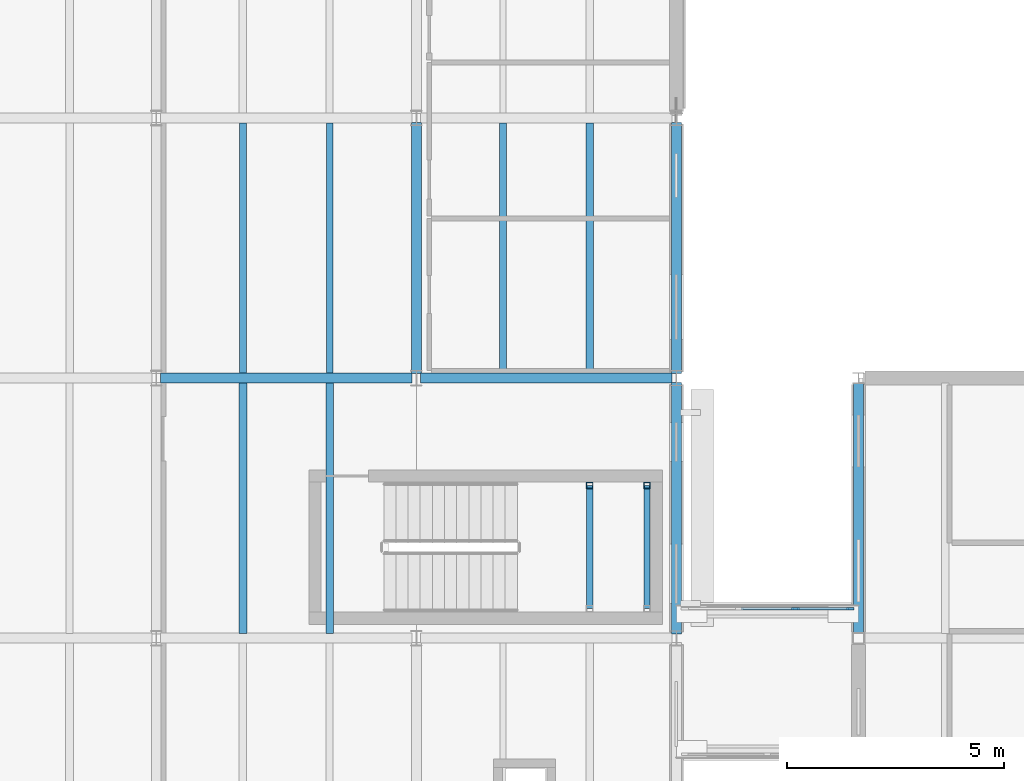
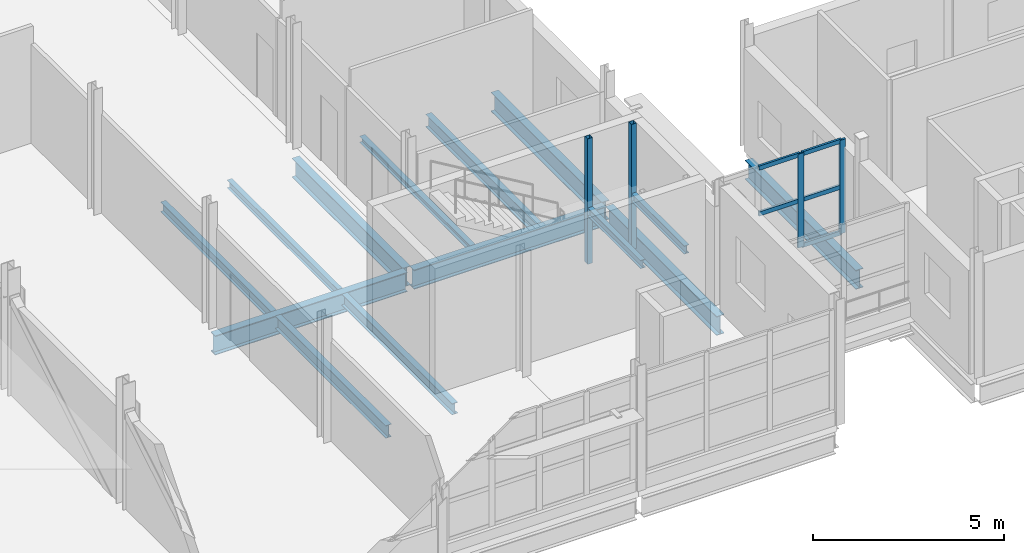
# One storey, part 24 of 92: 14 beams, 9 members, 1 element without a shape of its own.
"""IFC4 building model written with IfcOpenShell, lengths in metres."""

import ifcopenshell
import ifcopenshell.guid

model = None  # the IFC model being written
_history = None  # IfcOwnerHistory: only IFC2X3 demands one
_inside = {}  # id of a spatial element -> (the spatial element, [elements in it])
_under = {}  # id of a project, library or spatial element -> (it, [spatial elements below it])
_declared = {}  # id of a project -> (the project, [libraries it declares])
_typed = {}  # id of a type object -> (the type object, [elements of that type])
_made_of = {}  # id of a material, layer set ... -> (it, [elements and type objects made of it])


def new_model(schema):
    """Start an empty IFC model of exactly this schema.

    Asked for "IFC4X3", IfcOpenShell would pick the latest addendum, in which some entities
    have other attributes; the version numbers below select the first issue.
    IFC2X3 requires an IfcOwnerHistory on every rooted entity: one is made here for all.
    """
    global model, _history
    if schema == "IFC4X3":
        model = ifcopenshell.file(schema_version=(4, 3, 0, 0))
    else:
        model = ifcopenshell.file(schema=schema)
    _inside.clear()
    _under.clear()
    _declared.clear()
    _typed.clear()
    _made_of.clear()
    _history = None
    if model.schema == "IFC2X3":
        org = make("IfcOrganization", Name="unknown")
        user = make(
            "IfcPersonAndOrganization",
            ThePerson=make("IfcPerson", FamilyName="unknown"),
            TheOrganization=org,
        )
        app = make(
            "IfcApplication",
            ApplicationDeveloper=org,
            Version="unknown",
            ApplicationFullName="unknown",
            ApplicationIdentifier="unknown",
        )
        _history = make(
            "IfcOwnerHistory",
            OwningUser=user,
            OwningApplication=app,
            ChangeAction="ADDED",
            CreationDate=0,
        )
    return model


def make(cls, **values):
    """One entity of the class cls with the attributes given. An attribute that is None is left unset."""
    return model.create_entity(
        cls, **{name: value for name, value in values.items() if value is not None}
    )


def rooted(cls, **values):
    """An entity with a GlobalId (a new one), such as an element, a storey or a relation."""
    return make(cls, GlobalId=ifcopenshell.guid.new(), OwnerHistory=_history, **values)


def si_unit(unit_type, name, prefix=None):
    """IfcSIUnit, for example si_unit("LENGTHUNIT", "METRE", prefix="MILLI")."""
    return make("IfcSIUnit", UnitType=unit_type, Prefix=prefix, Name=name)


def assignment(units):
    """IfcUnitAssignment: the units of a project."""
    return None if units is None else make("IfcUnitAssignment", Units=units)


def point(xyz):
    """IfcCartesianPoint."""
    return None if xyz is None else make("IfcCartesianPoint", Coordinates=xyz)


def direction(xyz):
    """IfcDirection."""
    return None if xyz is None else make("IfcDirection", DirectionRatios=xyz)


def frame(location, z_axis=None, x_axis=None):
    """IfcAxis2Placement3D, a coordinate frame: its origin and axes. An axis left out is left unset."""
    return make(
        "IfcAxis2Placement3D",
        Location=point(location),
        Axis=direction(z_axis),
        RefDirection=direction(x_axis),
    )


def frame_2d(location, x_axis=None):
    """IfcAxis2Placement2D, a coordinate frame in the plane: its origin and x axis."""
    return make(
        "IfcAxis2Placement2D", Location=point(location), RefDirection=direction(x_axis)
    )


def origin():
    """The frame at (0, 0, 0) with its axes left unset."""
    return frame((0.0, 0.0, 0.0))


def origin_2d():
    """The frame at (0, 0) in the plane with its x axis left unset."""
    return frame_2d((0.0, 0.0))


def place(relative_to, where):
    """IfcLocalPlacement: puts the frame where relative to a parent placement (None: the world)."""
    return make(
        "IfcLocalPlacement", PlacementRelTo=relative_to, RelativePlacement=where
    )


def context(
    kind, dimensions, precision=None, world=None, true_north=None, identifier=None
):
    """IfcGeometricRepresentationContext, for example the 3D "Model" context."""
    return make(
        "IfcGeometricRepresentationContext",
        ContextIdentifier=identifier,
        ContextType=kind,
        CoordinateSpaceDimension=dimensions,
        Precision=precision,
        WorldCoordinateSystem=world,
        TrueNorth=true_north,
    )


def subcontext(parent, identifier, kind, view, scale=None):
    """IfcGeometricRepresentationSubContext, for example "Body" below "Model"."""
    return make(
        "IfcGeometricRepresentationSubContext",
        ContextIdentifier=identifier,
        ContextType=kind,
        ParentContext=parent,
        TargetScale=scale,
        TargetView=view,
    )


def project(units=None, contexts=None):
    """IfcProject with its units and contexts."""
    return rooted(
        "IfcProject",
        Name="project",
        RepresentationContexts=contexts,
        UnitsInContext=assignment(units),
    )


def spatial(cls, under=None, at=None, **own):
    """A site, building, storey or space (cls), placed at a placement, below another one or the project."""
    s = rooted(cls, ObjectPlacement=at, **own)
    if under is not None:
        _under.setdefault(under.id(), (under, []))[1].append(s)
    return s


def profile(cls, at=None, kind="AREA", **sizes):
    """A parametric profile (cls). Its sizes go by their IFC names, for example OverallWidth=200.0."""
    return make(cls, ProfileType=kind, Position=at, **sizes)


def rectangle(**sizes):
    """IfcRectangleProfileDef."""
    return profile("IfcRectangleProfileDef", **sizes)


def hollow_rectangle(**sizes):
    """IfcRectangleHollowProfileDef."""
    return profile("IfcRectangleHollowProfileDef", **sizes)


def i_section(**sizes):
    """IfcIShapeProfileDef."""
    return profile("IfcIShapeProfileDef", **sizes)


def extrude(swept, where, along, depth):
    """IfcExtrudedAreaSolid: the profile swept, set in the frame where, extruded along a direction by depth."""
    return make(
        "IfcExtrudedAreaSolid",
        SweptArea=swept,
        Position=where,
        ExtrudedDirection=direction(along),
        Depth=depth,
    )


def shape(context_of_items, identifier, shape_type, items):
    """IfcShapeRepresentation: the items that make up one representation, for example the "Body"."""
    return make(
        "IfcShapeRepresentation",
        ContextOfItems=context_of_items,
        RepresentationIdentifier=identifier,
        RepresentationType=shape_type,
        Items=items,
    )


def material(Name=None, Category=None):
    """IfcMaterial."""
    return make("IfcMaterial", Name=Name, Category=Category)


def material_profile(
    of_material, cross_section, Name=None, Category=None, Priority=None
):
    """IfcMaterialProfile: a cross section and its material."""
    return make(
        "IfcMaterialProfile",
        Name=Name,
        Material=of_material,
        Profile=cross_section,
        Priority=Priority,
        Category=Category,
    )


def profile_set(profiles, Name=None, composite=None):
    """IfcMaterialProfileSet."""
    return make(
        "IfcMaterialProfileSet",
        Name=Name,
        MaterialProfiles=profiles,
        CompositeProfile=composite,
    )


def made_of(thing, what):
    """Note that an element or type object is made of a material, layer set ...; save() writes the relation."""
    if what is not None:
        _made_of.setdefault(what.id(), (what, []))[1].append(thing)
    return thing


def type_object(cls, material=None, **own):
    """A type object (cls), such as IfcWallType, which elements share."""
    return made_of(rooted(cls, **own), material)


def element(
    cls,
    number,
    at=None,
    inside=None,
    cuts=None,
    type_object=None,
    material=None,
    context=None,
    identifier="Body",
    shape_type=None,
    held_by="IfcProductDefinitionShape",
    body=None,
    shapes=None,
    **own,
):
    """One element of the class cls, such as IfcWall. Its Tag is "e" and its number.

    at: its placement. inside: the storey or other place that contains it. cuts: it is an
    opening in that element (IfcRelVoidsElement). A single representation is given by context,
    identifier, shape_type and body (its items); several are given by shapes. held_by: the class
    of the entity that holds the representations. save() writes the other relations.
    """
    e = rooted(cls, Tag="e%d" % number, ObjectPlacement=at, **own)
    if body is not None:
        shapes = [shape(context, identifier, shape_type, body)]
    if shapes is not None:
        e.Representation = make(held_by, Representations=shapes)
    if inside is not None:
        _inside.setdefault(inside.id(), (inside, []))[1].append(e)
    if cuts is not None:
        rooted(
            "IfcRelVoidsElement", RelatingBuildingElement=cuts, RelatedOpeningElement=e
        )
    if type_object is not None:
        _typed.setdefault(type_object.id(), (type_object, []))[1].append(e)
    return made_of(e, material)


def aggregate(whole, parts):
    """IfcRelAggregates: a whole, such as a stair, and the parts it consists of."""
    return rooted("IfcRelAggregates", RelatingObject=whole, RelatedObjects=parts)


def save(model, path):
    """Write the relations noted so far, then the file.

    IfcRelAggregates (storeys below a building ...), IfcRelContainedInSpatialStructure (elements
    in a storey), IfcRelDefinesByType, IfcRelAssociatesMaterial and IfcRelDeclares: one each for
    every whole, place, type object, material and project.
    """
    for whole, parts in _under.values():
        aggregate(whole, parts)
    for where, things in _inside.values():
        rooted(
            "IfcRelContainedInSpatialStructure",
            RelatedElements=things,
            RelatingStructure=where,
        )
    for kind, things in _typed.values():
        rooted("IfcRelDefinesByType", RelatedObjects=things, RelatingType=kind)
    for what, things in _made_of.values():
        rooted("IfcRelAssociatesMaterial", RelatedObjects=things, RelatingMaterial=what)
    for by, libraries in _declared.values():
        rooted("IfcRelDeclares", RelatingContext=by, RelatedDefinitions=libraries)
    model.write(path)


model = new_model("IFC4")

# Units and contexts
model_context = context("Model", 3, precision=1e-05, world=origin(), true_north=direction((0.0, 1.0)))
body_context = subcontext(model_context, "Body", "Model", "MODEL_VIEW")
ifc_project = project(units=[si_unit("LENGTHUNIT", "METRE"), si_unit("AREAUNIT", "SQUARE_METRE"), si_unit("VOLUMEUNIT", "CUBIC_METRE"), si_unit("PLANEANGLEUNIT", "RADIAN"), si_unit("MASSUNIT", "GRAM", prefix="KILO")], contexts=[model_context])

# Site, building, storey
site_placement = place(None, origin())
site = spatial("IfcSite", under=ifc_project, at=site_placement, CompositionType="ELEMENT")
building_placement = place(site_placement, origin())
building = spatial("IfcBuilding", under=site, at=building_placement, Name="Siltcreek Boulevard Central Fire Station", CompositionType="ELEMENT")
storey_placement = place(building_placement, frame((0.0, 0.0, 6.0)))
storey = spatial("IfcBuildingStorey", under=building, at=storey_placement, Name="L02", CompositionType="ELEMENT", Elevation=6.0)

# Beams
ifc_material_1 = material(Name="Structural steel ASTM A992 Gr50", Category="steel")
ifc_material_profile_1 = material_profile(ifc_material_1, i_section(OverallWidth=0.22802734375, OverallDepth=0.60791015625, WebThickness=0.01123046875, FlangeThickness=0.017333984375, at=origin_2d()), Name="W610X113")
ifc_profile_set_1 = profile_set([ifc_material_profile_1], Name="Structural steel ASTM A992 Gr50")
beam_type_1 = type_object("IfcBeamType", Name="BM_W610X113", PredefinedType="BEAM", material=ifc_profile_set_1)
for number, where, z_axis, x_axis, name in (
    (1, (102.0, 30.10009765625, -0.6240234375), (0.0, 1.0, 0.0), (-1.0, 0.0, 0.0), "L02 primary steel girder GY-0106"),
    (2, (108.0, 24.10009765625, -0.6240234375), (0.0, 1.0, 0.0), (-1.0, 0.0, 0.0), "L02 primary steel girder GY-0111"),
    (3, (108.0, 30.10009765625, -0.6240234375), (0.0, 1.0, 0.0), (-1.0, 0.0, 0.0), "L02 primary steel girder GY-0112"),
    (4, (112.199951171875, 24.10009765625, -0.6240234375), (0.0, 1.0, 0.0), (-1.0, 0.0, 0.0), "L02 primary steel girder GY-0277"),
):
    element("IfcBeam", number, at=place(storey_placement, frame(where, z_axis=z_axis, x_axis=x_axis)), inside=storey, type_object=beam_type_1, Name=name, PredefinedType="BEAM", context=body_context, shape_type="SweptSolid", body=[
        extrude(i_section(OverallWidth=0.22802734375, OverallDepth=0.60791015625, WebThickness=0.01123046875, FlangeThickness=0.017333984375, at=origin_2d()), origin(), (0.0, 0.0, 1.0), 5.7998046875),
    ])
ifc_material_profile_2 = material_profile(ifc_material_1, i_section(OverallWidth=0.22998046875, OverallDepth=0.616943359375, WebThickness=0.01318359375, FlangeThickness=0.022216796875, at=origin_2d()), Name="W610X140")
ifc_profile_set_2 = profile_set([ifc_material_profile_2], Name="Structural steel ASTM A992 Gr50")
beam_type_2 = type_object("IfcBeamType", Name="BM_W610X140", PredefinedType="BEAM", material=ifc_profile_set_2)
for number, where, z_axis, x_axis, name in (
    (5, (96.10009765625, 30.0, -0.62841796875), (1.0, 0.0, 0.0), (0.0, 1.0, 0.0), "L02 primary steel girder GX-0063"),
    (6, (102.10009765625, 30.0, -0.62841796875), (1.0, 0.0, 0.0), (0.0, 1.0, 0.0), "L02 primary steel girder GX-0064"),
):
    element("IfcBeam", number, at=place(storey_placement, frame(where, z_axis=z_axis, x_axis=x_axis)), inside=storey, type_object=beam_type_2, Name=name, PredefinedType="BEAM", context=body_context, shape_type="SweptSolid", body=[
        extrude(i_section(OverallWidth=0.22998046875, OverallDepth=0.616943359375, WebThickness=0.01318359375, FlangeThickness=0.022216796875, at=origin_2d()), origin(), (0.0, 0.0, 1.0), 5.7998046875),
    ])

# Members
ifc_material_2 = material(Name="Structural steel ASTM A500 GrC", Category="steel")
ifc_material_profile_3 = material_profile(ifc_material_2, hollow_rectangle(XDim=0.14990234375, YDim=0.14990234375, WallThickness=0.008056640625, at=origin_2d()), Name="HSS150X150X8.0")
ifc_profile_set_3 = profile_set([ifc_material_profile_3], Name="Structural steel ASTM A500 GrC")
member_type_1 = type_object("IfcMemberType", Name="BR_HSS150_8", PredefinedType="BRACE", material=ifc_profile_set_3)
for number, where, z_axis, x_axis, name in (
    (7, (106.0, 27.52001953125, 0.0), (0.0, 0.0, 1.0), (1.0, 0.0, 0.0), "L02 ST-V2B stair landing corner post NW"),
    (8, (107.320068359375, 27.52001953125, 0.0), (0.0, 0.0, 1.0), (1.0, 0.0, 0.0), "L02 ST-V2B stair landing corner post NE"),
):
    element("IfcMember", number, at=place(storey_placement, frame(where, z_axis=z_axis, x_axis=x_axis)), inside=storey, type_object=member_type_1, Name=name, PredefinedType="BRACE", context=body_context, shape_type="SweptSolid", body=[
        extrude(hollow_rectangle(XDim=0.14990234375, YDim=0.14990234375, WallThickness=0.008056640625, at=origin_2d()), origin(), (0.0, 0.0, 1.0), 4.0),
    ])

# Curtain wall, members
ifc_material_3 = material(Name="Anodized aluminum and low-E insulated glazing", Category="aluminium")
curtain_wall_type = type_object("IfcCurtainWallType", Name="CW_SYS_15", PredefinedType="USERDEFINED", material=ifc_material_3)
curtain_wall_placement = place(storey_placement, origin())
curtain_wall = element("IfcCurtainWall", 9, at=curtain_wall_placement, inside=storey, type_object=curtain_wall_type, Name="L02 V6 unitised curtain wall CW-194", ObjectType="CURTAIN WALL", PredefinedType="USERDEFINED")
ifc_material_4 = material(Name="Anodized 6063-T6 aluminum framing", Category="aluminium")
ifc_material_profile_4 = material_profile(ifc_material_4, rectangle(XDim=0.06494140625, YDim=0.175048828125, at=origin_2d()), Name="MULL65X175")
ifc_profile_set_4 = profile_set([ifc_material_profile_4], Name="Anodized 6063-T6 aluminum framing")
member_type_2 = type_object("IfcMemberType", Name="CWM_65X175", PredefinedType="MULLION", material=ifc_profile_set_4)
member_1_placement = place(storey_placement, frame((112.007568359375, 24.679931640625, 0.56005859375), z_axis=(0.0, 0.0, 1.0), x_axis=(0.0, -1.0, 0.0)))
member_1 = element("IfcMember", 10, at=member_1_placement, type_object=member_type_2, Name="CW-194 mullion 1", PredefinedType="MULLION", context=body_context, shape_type="SweptSolid", body=[
    extrude(rectangle(XDim=0.06494140625, YDim=0.175048828125, at=origin_2d()), origin(), (0.0, 0.0, 1.0), 2.989990234375),
])
member_2_placement = place(storey_placement, frame((110.74658203125, 24.679931640625, 0.56005859375), z_axis=(0.0, 0.0, 1.0), x_axis=(0.0, -1.0, 0.0)))
member_2 = element("IfcMember", 11, at=member_2_placement, type_object=member_type_2, Name="CW-194 mullion 2", PredefinedType="MULLION", context=body_context, shape_type="SweptSolid", body=[
    extrude(rectangle(XDim=0.06494140625, YDim=0.175048828125, at=origin_2d()), origin(), (0.0, 0.0, 1.0), 2.989990234375),
])
ifc_material_profile_5 = material_profile(ifc_material_4, rectangle(XDim=0.06494140625, YDim=0.135009765625, at=origin_2d()), Name="TRAN65X135")
ifc_profile_set_5 = profile_set([ifc_material_profile_5], Name="Anodized 6063-T6 aluminum framing")
member_type_3 = type_object("IfcMemberType", Name="CWT_65X135", PredefinedType="USERDEFINED", material=ifc_profile_set_5)
member_3_placement = place(storey_placement, frame((111.97509765625, 24.679931640625, 0.592529296875), z_axis=(-1.0, 0.0, 0.0), x_axis=(0.0, -1.0, 0.0)))
member_3 = element("IfcMember", 12, at=member_3_placement, type_object=member_type_3, Name="CW-194 transom 1.1", ObjectType="TRANSOM", PredefinedType="USERDEFINED", context=body_context, shape_type="SweptSolid", body=[
    extrude(rectangle(XDim=0.06494140625, YDim=0.135009765625, at=origin_2d()), origin(), (0.0, 0.0, 1.0), 1.196044921875),
])
member_4_placement = place(storey_placement, frame((111.97509765625, 24.679931640625, 2.054931640625), z_axis=(-1.0, 0.0, 0.0), x_axis=(0.0, -1.0, 0.0)))
member_4 = element("IfcMember", 13, at=member_4_placement, type_object=member_type_3, Name="CW-194 transom 1.2", ObjectType="TRANSOM", PredefinedType="USERDEFINED", context=body_context, shape_type="SweptSolid", body=[
    extrude(rectangle(XDim=0.06494140625, YDim=0.135009765625, at=origin_2d()), origin(), (0.0, 0.0, 1.0), 1.196044921875),
])
member_5_placement = place(storey_placement, frame((111.97509765625, 24.679931640625, 3.517578125), z_axis=(-1.0, 0.0, 0.0), x_axis=(0.0, -1.0, 0.0)))
member_5 = element("IfcMember", 14, at=member_5_placement, type_object=member_type_3, Name="CW-194 transom 1.3", ObjectType="TRANSOM", PredefinedType="USERDEFINED", context=body_context, shape_type="SweptSolid", body=[
    extrude(rectangle(XDim=0.06494140625, YDim=0.135009765625, at=origin_2d()), origin(), (0.0, 0.0, 1.0), 1.196044921875),
])
member_6_placement = place(storey_placement, frame((110.714111328125, 24.679931640625, 2.054931640625), z_axis=(-1.0, 0.0, 0.0), x_axis=(0.0, -1.0, 0.0)))
member_6 = element("IfcMember", 15, at=member_6_placement, type_object=member_type_3, Name="CW-194 transom 2.2", ObjectType="TRANSOM", PredefinedType="USERDEFINED", context=body_context, shape_type="SweptSolid", body=[
    extrude(rectangle(XDim=0.06494140625, YDim=0.135009765625, at=origin_2d()), origin(), (0.0, 0.0, 1.0), 1.228271484375),
])
member_7_placement = place(storey_placement, frame((110.714111328125, 24.679931640625, 3.517578125), z_axis=(-1.0, 0.0, 0.0), x_axis=(0.0, -1.0, 0.0)))
member_7 = element("IfcMember", 16, at=member_7_placement, type_object=member_type_3, Name="CW-194 transom 2.3", ObjectType="TRANSOM", PredefinedType="USERDEFINED", context=body_context, shape_type="SweptSolid", body=[
    extrude(rectangle(XDim=0.06494140625, YDim=0.135009765625, at=origin_2d()), origin(), (0.0, 0.0, 1.0), 1.228271484375),
])
aggregate(curtain_wall, [member_1, member_2, member_3, member_4, member_5, member_6, member_7])

# Beams
ifc_material_profile_6 = material_profile(ifc_material_1, i_section(OverallWidth=0.1650390625, OverallDepth=0.200927734375, WebThickness=0.006103515625, FlangeThickness=0.01025390625, at=origin_2d()), Name="W200X36")
ifc_profile_set_6 = profile_set([ifc_material_profile_6], Name="Structural steel ASTM A992 Gr50")
beam_type_3 = type_object("IfcBeamType", Name="JST_W200X36", PredefinedType="JOIST", material=ifc_profile_set_6)
beam_1_placement = place(storey_placement, frame((104.0, 30.113037109375, -0.42041015625), z_axis=(0.0, 1.0, 0.0), x_axis=(-1.0, 0.0, 0.0)))
element("IfcBeam", 17, at=beam_1_placement, inside=storey, type_object=beam_type_3, Name="L02 secondary steel floor joist 0067", PredefinedType="JOIST", context=body_context, shape_type="SweptSolid", body=[
    extrude(i_section(OverallWidth=0.1650390625, OverallDepth=0.200927734375, WebThickness=0.006103515625, FlangeThickness=0.01025390625, at=origin_2d()), origin(), (0.0, 0.0, 1.0), 5.77392578125),
])
ifc_material_profile_7 = material_profile(ifc_material_1, i_section(OverallWidth=0.14697265625, OverallDepth=0.261962890625, WebThickness=0.006591796875, FlangeThickness=0.01123046875, at=origin_2d()), Name="W250X39")
ifc_profile_set_7 = profile_set([ifc_material_profile_7], Name="Structural steel ASTM A992 Gr50")
beam_type_4 = type_object("IfcBeamType", Name="JST_W250X39", PredefinedType="JOIST", material=ifc_profile_set_7)
beam_2_placement = place(storey_placement, frame((100.0, 30.113037109375, -0.450927734375), z_axis=(0.0, 1.0, 0.0), x_axis=(-1.0, 0.0, 0.0)))
element("IfcBeam", 18, at=beam_2_placement, inside=storey, type_object=beam_type_4, Name="L02 secondary steel floor joist 0066", PredefinedType="JOIST", context=body_context, shape_type="SweptSolid", body=[
    extrude(i_section(OverallWidth=0.14697265625, OverallDepth=0.261962890625, WebThickness=0.006591796875, FlangeThickness=0.01123046875, at=origin_2d()), origin(), (0.0, 0.0, 1.0), 5.77392578125),
])
for number, where, z_axis, x_axis, name in (
    (19, (106.0, 24.679931640625, 1.6689453125), (0.0, 1.0, 0.0), (-1.0, 0.0, 0.0), "L02 ST-V2B stair landing bearer MIDW"),
    (20, (107.320068359375, 24.679931640625, 1.6689453125), (0.0, 1.0, 0.0), (-1.0, 0.0, 0.0), "L02 ST-V2B stair landing bearer MIDE"),
):
    element("IfcBeam", number, at=place(storey_placement, frame(where, z_axis=z_axis, x_axis=x_axis)), inside=storey, type_object=beam_type_4, Name=name, PredefinedType="JOIST", context=body_context, shape_type="SweptSolid", body=[
        extrude(i_section(OverallWidth=0.14697265625, OverallDepth=0.261962890625, WebThickness=0.006591796875, FlangeThickness=0.01123046875, at=origin_2d()), origin(), (0.0, 0.0, 1.0), 2.840087890625),
    ])
ifc_material_profile_8 = material_profile(ifc_material_1, i_section(OverallWidth=0.166015625, OverallDepth=0.31298828125, WebThickness=0.006591796875, FlangeThickness=0.01123046875, at=origin_2d()), Name="W310X45")
ifc_profile_set_8 = profile_set([ifc_material_profile_8], Name="Structural steel ASTM A992 Gr50")
beam_type_5 = type_object("IfcBeamType", Name="JST_W310X45", PredefinedType="JOIST", material=ifc_profile_set_8)
beam_3_placement = place(storey_placement, frame((98.0, 30.113037109375, -0.4765625), z_axis=(0.0, 1.0, 0.0), x_axis=(-1.0, 0.0, 0.0)))
element("IfcBeam", 21, at=beam_3_placement, inside=storey, type_object=beam_type_5, Name="L02 secondary steel floor joist 0065", PredefinedType="JOIST", context=body_context, shape_type="SweptSolid", body=[
    extrude(i_section(OverallWidth=0.166015625, OverallDepth=0.31298828125, WebThickness=0.006591796875, FlangeThickness=0.01123046875, at=origin_2d()), origin(), (0.0, 0.0, 1.0), 5.77392578125),
])
ifc_material_profile_9 = material_profile(ifc_material_1, i_section(OverallWidth=0.172119140625, OverallDepth=0.35791015625, WebThickness=0.0078125, FlangeThickness=0.01318359375, at=origin_2d()), Name="W360X57")
ifc_profile_set_9 = profile_set([ifc_material_profile_9], Name="Structural steel ASTM A992 Gr50")
beam_type_6 = type_object("IfcBeamType", Name="JST_W360X57", PredefinedType="JOIST", material=ifc_profile_set_9)
beam_4_placement = place(storey_placement, frame((100.0, 24.113037109375, -0.4990234375), z_axis=(0.0, 1.0, 0.0), x_axis=(-1.0, 0.0, 0.0)))
element("IfcBeam", 22, at=beam_4_placement, inside=storey, type_object=beam_type_6, Name="L02 secondary steel floor joist 0054", PredefinedType="JOIST", context=body_context, shape_type="SweptSolid", body=[
    extrude(i_section(OverallWidth=0.172119140625, OverallDepth=0.35791015625, WebThickness=0.0078125, FlangeThickness=0.01318359375, at=origin_2d()), origin(), (0.0, 0.0, 1.0), 5.77392578125),
])
ifc_material_profile_10 = material_profile(ifc_material_1, i_section(OverallWidth=0.177001953125, OverallDepth=0.403076171875, WebThickness=0.007568359375, FlangeThickness=0.010986328125, at=origin_2d()), Name="W410X53")
ifc_profile_set_10 = profile_set([ifc_material_profile_10], Name="Structural steel ASTM A992 Gr50")
beam_type_7 = type_object("IfcBeamType", Name="JST_W410X53", PredefinedType="JOIST", material=ifc_profile_set_10)
for number, where, z_axis, x_axis, name in (
    (23, (98.0, 24.113037109375, -0.521484375), (0.0, 1.0, 0.0), (-1.0, 0.0, 0.0), "L02 secondary steel floor joist 0053"),
    (24, (106.0, 30.113037109375, -0.521484375), (0.0, 1.0, 0.0), (-1.0, 0.0, 0.0), "L02 secondary steel floor joist 0068"),
):
    element("IfcBeam", number, at=place(storey_placement, frame(where, z_axis=z_axis, x_axis=x_axis)), inside=storey, type_object=beam_type_7, Name=name, PredefinedType="JOIST", context=body_context, shape_type="SweptSolid", body=[
        extrude(i_section(OverallWidth=0.177001953125, OverallDepth=0.403076171875, WebThickness=0.007568359375, FlangeThickness=0.010986328125, at=origin_2d()), origin(), (0.0, 0.0, 1.0), 5.77392578125),
    ])

save(model, "model.ifc")
